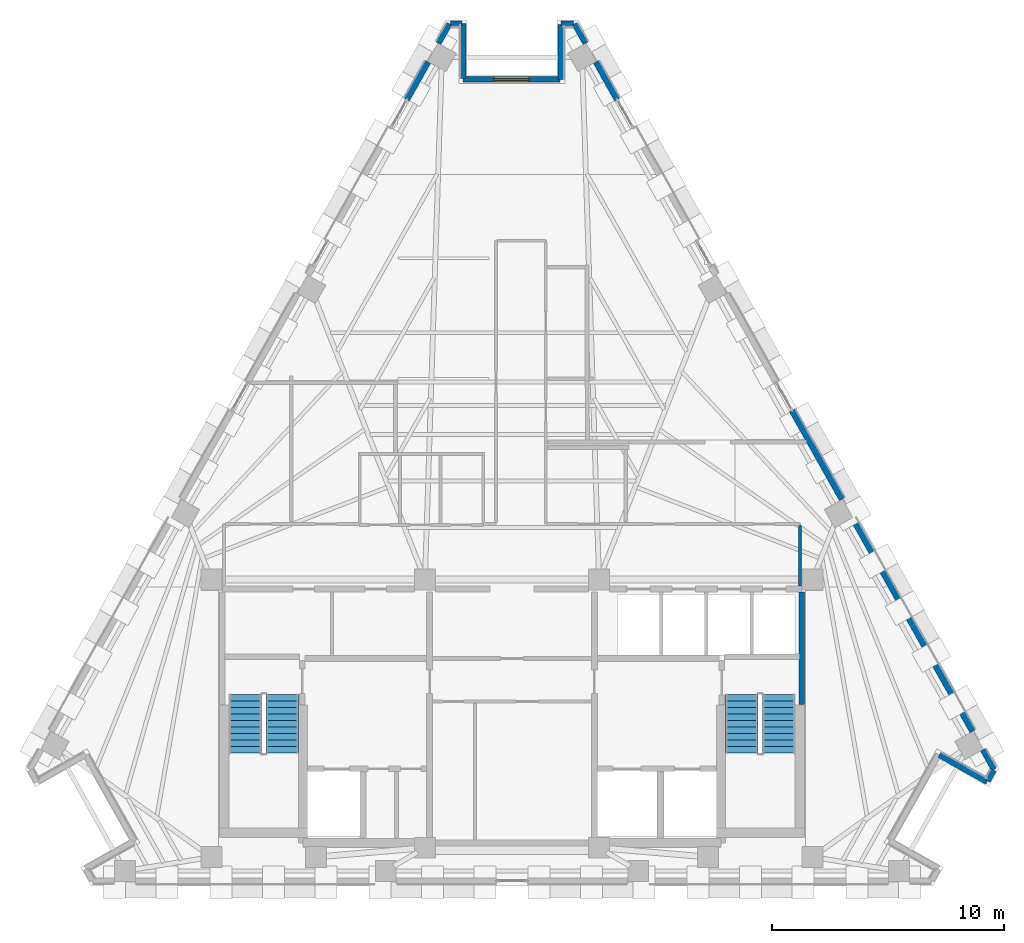
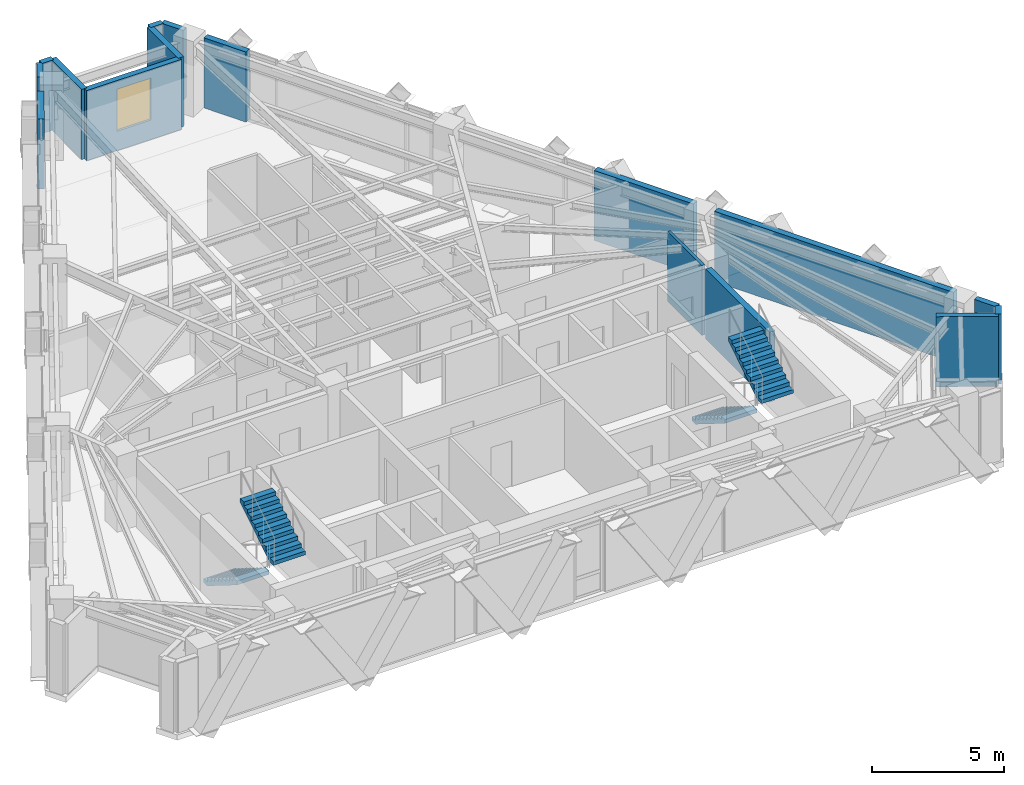
# One storey, part 9 of 12: 16 walls, 4 stair flights, 1 window, 1 opening, 2 elements without a shape of their own.
"""IFC4 building model written with IfcOpenShell, lengths in metres."""

from ifc_helpers import new_model, si_unit, direction, frame, frame_2d, origin, place, context, subcontext, project, spatial, polyline, rectangle, outline, extrude, material, layer, layer_set, type_object, element, fill, aggregate, save


model = new_model("IFC4")

# Units and contexts
model_context = context("Model", 3, precision=1e-05, world=origin(), true_north=direction((0.0, 1.0)))
body_context = subcontext(model_context, "Body", "Model", "MODEL_VIEW")
ifc_project = project(units=[si_unit("LENGTHUNIT", "METRE"), si_unit("AREAUNIT", "SQUARE_METRE"), si_unit("VOLUMEUNIT", "CUBIC_METRE"), si_unit("PLANEANGLEUNIT", "RADIAN"), si_unit("MASSUNIT", "GRAM", prefix="KILO")], contexts=[model_context])

# Site, building, storey
site_placement = place(None, origin())
site = spatial("IfcSite", under=ifc_project, at=site_placement, CompositionType="ELEMENT")
building_placement = place(site_placement, origin())
building = spatial("IfcBuilding", under=site, at=building_placement, Name="Quenlor Broadcast Tower", CompositionType="ELEMENT")
storey_placement = place(building_placement, frame((0.0, 0.0, 221.89990234375)))
storey = spatial("IfcBuildingStorey", under=building, at=storey_placement, Name="L61", CompositionType="ELEMENT", Elevation=221.89990234375)

# Walls
ifc_material_1 = material(Name="Concrete C40/50", Category="concrete")
ifc_layer_1 = layer(ifc_material_1, 0.25)
ifc_layer_set_1 = layer_set([ifc_layer_1], Name="Fire Rated Concrete C40/50 Core Wall 250")
wall_type_1 = type_object("IfcWallType", Name="Fire Rated Concrete C40/50 Core Wall 250", PredefinedType="PARTITIONING", material=ifc_layer_set_1)
wall_1_placement = place(storey_placement, frame((12.47998046875, -10.179931640625, 0.0), z_axis=(0.0, 0.0, 1.0), x_axis=(0.0, 1.0, 0.0)))
element("IfcWall", 1, at=wall_1_placement, inside=storey, type_object=wall_type_1, Name="L61 Interior Wall CW-ST2-E2", PredefinedType="PARTITIONING", context=body_context, shape_type="SweptSolid", body=[
    extrude(rectangle(XDim=4.83984375, YDim=0.25, at=frame_2d((2.419921875, 0.0))), origin(), (0.0, 0.0, 1.0), 3.25),
])
ifc_material_2 = material(Name="Gypsum Plasterboard Partition", Category="other")
ifc_layer_2 = layer(ifc_material_2, 0.1201171875)
ifc_layer_set_2 = layer_set([ifc_layer_2], Name="Standard Office Partition 120")
wall_type_2 = type_object("IfcWallType", Name="Standard Office Partition 120", PredefinedType="PARTITIONING", material=ifc_layer_set_2)
wall_2_placement = place(storey_placement, frame((12.409912109375, -2.4619140625, 0.0), z_axis=(0.0, 0.0, 1.0), x_axis=(0.0, -1.0, 0.0)))
element("IfcWall", 2, at=wall_2_placement, inside=storey, type_object=wall_type_2, Name="L61 Interior Wall PW-CR-07", PredefinedType="PARTITIONING", context=body_context, shape_type="SweptSolid", body=[
    extrude(rectangle(XDim=2.611083984375, YDim=0.1201171875, at=frame_2d((1.3056640625, 0.0))), origin(), (0.0, 0.0, 1.0), 3.25),
])
ifc_material_3 = material(Name="Precast concrete C40/50", Category="concrete")
ifc_layer_3 = layer(ifc_material_3, 0.239990234375)
ifc_layer_set_3 = layer_set([ifc_layer_3], Name="Terrace Threshold Precast Concrete C40/50 Wall 240")
wall_type_3 = type_object("IfcWallType", Name="Terrace Threshold Precast Concrete C40/50 Wall 240", PredefinedType="STANDARD", material=ifc_layer_set_3)
for number, where, z_axis, x_axis, name in (
    (3, (2.6953125, 19.1494140625, 0.0), (0.0, 0.0, 1.0), (0.490345412687, -0.87152818443, 0.0), "L61 Exterior Wall L61-SHD-NES0"),
    (4, (20.289794921875, -12.1298828125, 0.0), (0.0, 0.0, 1.0), (0.490345412687, -0.87152818443, 0.0), "L61 Exterior Wall L61-SHD-NES1"),
    (5, (-3.16796875, 18.309326171875, 0.0), (0.0, 0.0, 1.0), (0.490345412687, 0.87152818443, 0.0), "L61 Exterior Wall L61-SHD-NWS1"),
):
    element("IfcWall", number, at=place(storey_placement, frame(where, z_axis=z_axis, x_axis=x_axis)), inside=storey, type_object=wall_type_3, Name=name, PredefinedType="STANDARD", context=body_context, shape_type="SweptSolid", body=[
        extrude(rectangle(XDim=0.9638671875, YDim=0.239990234375, at=frame_2d((0.48193359375, 0.0))), origin(), (0.0, 0.0, 1.0), 3.25),
    ])
wall_3_placement = place(storey_placement, frame((18.412109375, -12.351318359375, 0.0), z_axis=(0.0, 0.0, 1.0), x_axis=(0.871578299909, -0.490256327984, 0.0)))
element("IfcWall", 6, at=wall_3_placement, inside=storey, type_object=wall_type_3, Name="L61 Exterior Wall L61-CNR-03", PredefinedType="STANDARD", context=body_context, shape_type="SweptSolid", body=[
    extrude(rectangle(XDim=2.35986328125, YDim=0.239990234375, at=frame_2d((1.179931640625, 0.0))), origin(), (0.0, 0.0, 1.0), 3.25),
])
wall_4_placement = place(storey_placement, frame((20.48876953125, -13.473388671875, 0.0), z_axis=(0.0, 0.0, 1.0), x_axis=(0.490133374867, 0.87164744871, 0.0)))
element("IfcWall", 7, at=wall_4_placement, inside=storey, type_object=wall_type_3, Name="L61 Exterior Wall L61-CNR-04", PredefinedType="STANDARD", context=body_context, shape_type="SweptSolid", body=[
    extrude(rectangle(XDim=0.5439453125, YDim=0.239990234375, at=frame_2d((0.27197265625, 0.0))), origin(), (0.0, 0.0, 1.0), 3.25),
])
wall_5_placement = place(storey_placement, frame((2.658447265625, 19.152099609375, 0.0), z_axis=(0.0, 0.0, 1.0), x_axis=(-1.0, 0.0, 0.0)))
element("IfcWall", 8, at=wall_5_placement, inside=storey, type_object=wall_type_3, Name="L61 Exterior Wall L61-CNR-06", PredefinedType="STANDARD", context=body_context, shape_type="SweptSolid", body=[
    extrude(rectangle(XDim=0.55224609375, YDim=0.239990234375, at=frame_2d((0.276123046875, 0.0))), origin(), (0.0, 0.0, 1.0), 3.25),
])
wall_6_placement = place(storey_placement, frame((2.106201171875, 19.112060546875, 0.0), z_axis=(0.0, 0.0, 1.0), x_axis=(0.0, -1.0, 0.0)))
element("IfcWall", 9, at=wall_6_placement, inside=storey, type_object=wall_type_3, Name="L61 Exterior Wall L61-CNR-07", PredefinedType="STANDARD", context=body_context, shape_type="SweptSolid", body=[
    extrude(rectangle(XDim=2.360107421875, YDim=0.239990234375, at=frame_2d((1.18017578125, 0.0))), origin(), (0.0, 0.0, 1.0), 3.25),
])

# Wall, opening, window
wall_7_placement = place(storey_placement, frame((2.066162109375, 16.751953125, 0.0), z_axis=(0.0, 0.0, 1.0), x_axis=(-1.0, 0.0, 0.0)))
wall_7 = element("IfcWall", 10, at=wall_7_placement, inside=storey, type_object=wall_type_3, Name="L61 Exterior Wall L61-CNR-08", PredefinedType="STANDARD", context=body_context, shape_type="SweptSolid", body=[
    extrude(rectangle(XDim=4.17236328125, YDim=0.239990234375, at=frame_2d((2.086181640625, 0.0))), origin(), (0.0, 0.0, 1.0), 3.25),
])
opening_placement = place(wall_7_placement, frame((1.3359375, 0.0, 0.89990234375)))
opening = element("IfcOpeningElement", 11, at=opening_placement, cuts=wall_7, Name="Opening WN-3", PredefinedType="OPENING", context=body_context, shape_type="SweptSolid", body=[
    extrude(rectangle(XDim=1.5, YDim=1.949951171875, at=frame_2d((0.75, 0.97509765625))), frame((0.0, 0.1298828125, 0.0), z_axis=(0.0, -1.0, 0.0), x_axis=(1.0, 0.0, 0.0)), (0.0, 0.0, 1.0), 0.260009765625),
])
ifc_material_4 = material(Name="Thermally Broken Aluminium and Low-E Glass", Category="aluminium")
window_type = type_object("IfcWindowType", Name="Upper Tower Facade Window 1500x1950", PartitioningType="SINGLE_PANEL", PredefinedType="WINDOW", material=ifc_material_4)
window_placement = place(opening_placement, origin())
window = element("IfcWindow", 12, at=window_placement, inside=storey, type_object=window_type, Name="L61 Corner Chamfer Window 8", OverallHeight=1.949951171875, OverallWidth=1.5, PartitioningType="SINGLE_PANEL", PredefinedType="WINDOW", context=body_context, shape_type="SweptSolid", body=[
    extrude(rectangle(XDim=1.5, YDim=1.949951171875, at=frame_2d((0.75, 0.97509765625))), frame((0.0, 0.030029296875, 0.0), z_axis=(0.0, -1.0, 0.0), x_axis=(1.0, 0.0, 0.0)), (0.0, 0.0, 1.0), 0.06005859375),
])
fill(opening, window)

# Walls
wall_8_placement = place(storey_placement, frame((-2.106201171875, 16.7919921875, 0.0), z_axis=(0.0, 0.0, 1.0), x_axis=(0.0, 1.0, 0.0)))
element("IfcWall", 13, at=wall_8_placement, inside=storey, type_object=wall_type_3, Name="L61 Exterior Wall L61-CNR-09", PredefinedType="STANDARD", context=body_context, shape_type="SweptSolid", body=[
    extrude(rectangle(XDim=2.360107421875, YDim=0.239990234375, at=frame_2d((1.18017578125, 0.0))), origin(), (0.0, 0.0, 1.0), 3.25),
])
wall_9_placement = place(storey_placement, frame((-2.146240234375, 19.152099609375, 0.0), z_axis=(0.0, 0.0, 1.0), x_axis=(-1.0, 0.0, 0.0)))
element("IfcWall", 14, at=wall_9_placement, inside=storey, type_object=wall_type_3, Name="L61 Exterior Wall L61-CNR-10", PredefinedType="STANDARD", context=body_context, shape_type="SweptSolid", body=[
    extrude(rectangle(XDim=0.51220703125, YDim=0.239990234375, at=frame_2d((0.256103515625, 0.0))), origin(), (0.0, 0.0, 1.0), 3.25),
])
ifc_material_5 = material(Name="Precast concrete C40/50", Category="concrete")
ifc_layer_4 = layer(ifc_material_5, 0.260009765625)
ifc_layer_set_4 = layer_set([ifc_layer_4], Name="Terracotta Precast Concrete C40/50 Upper Wall 260")
wall_type_4 = type_object("IfcWallType", Name="Terracotta Precast Concrete C40/50 Upper Wall 260", PredefinedType="STANDARD", material=ifc_layer_set_4)
wall_10_placement = place(storey_placement, frame((3.623779296875, 17.498779296875, 0.0), z_axis=(0.0, 0.0, 1.0), x_axis=(0.490261239633, -0.871575537125, 0.0)))
element("IfcWall", 15, at=wall_10_placement, inside=storey, type_object=wall_type_4, Name="L61 Exterior Wall L61-NEA-SP1", PredefinedType="STANDARD", context=body_context, shape_type="SweptSolid", body=[
    extrude(rectangle(XDim=1.85546875, YDim=0.260009765625, at=frame_2d((0.927734375, 0.0))), origin(), (0.0, 0.0, 1.0), 3.25),
])
wall_11_placement = place(storey_placement, frame((14.6708984375, -2.140380859375, 0.0), z_axis=(0.0, 0.0, 1.0), x_axis=(0.490246958575, -0.871583570066, 0.0)))
element("IfcWall", 16, at=wall_11_placement, inside=storey, type_object=wall_type_4, Name="L61 Exterior Wall L61-EW-NEC", PredefinedType="STANDARD", context=body_context, shape_type="SweptSolid", body=[
    extrude(rectangle(XDim=10.551513671875, YDim=0.260009765625, at=frame_2d((5.27587890625, 0.0))), origin(), (0.0, 0.0, 1.0), 3.25),
])
wall_12_placement = place(storey_placement, frame((12.066162109375, 2.489990234375, 0.0), z_axis=(0.0, 0.0, 1.0), x_axis=(0.490261239633, -0.871575537125, 0.0)))
element("IfcWall", 17, at=wall_12_placement, inside=storey, type_object=wall_type_4, Name="L61 Exterior Wall L61-NE-SP2", PredefinedType="STANDARD", context=body_context, shape_type="SweptSolid", body=[
    extrude(rectangle(XDim=4.3876953125, YDim=0.260009765625, at=frame_2d((2.19384765625, 0.0))), origin(), (0.0, 0.0, 1.0), 3.25),
])
wall_13_placement = place(storey_placement, frame((-4.533447265625, 15.881591796875, 0.0), z_axis=(0.0, 0.0, 1.0), x_axis=(0.490261239633, 0.871575537125, 0.0)))
element("IfcWall", 18, at=wall_13_placement, inside=storey, type_object=wall_type_4, Name="L61 Exterior Wall L61-NWC-SP3", PredefinedType="STANDARD", context=body_context, shape_type="SweptSolid", body=[
    extrude(rectangle(XDim=1.85546875, YDim=0.260009765625, at=frame_2d((0.927734375, 0.0))), origin(), (0.0, 0.0, 1.0), 3.25),
])

# Stair, stair flights
ifc_material_6 = material(Name="Precast concrete C40/50", Category="concrete")
stair_type = type_object("IfcStairType", Name="Precast Concrete C40/50 Dogleg Stair H350", PredefinedType="HALF_TURN_STAIR", material=ifc_material_6)
stair_1_placement = place(storey_placement, origin())
stair_1 = element("IfcStair", 19, at=stair_1_placement, inside=storey, type_object=stair_type, Name="L61 West Core Fire-Isolated Exit Stair ST-1", PredefinedType="HALF_TURN_STAIR")
ifc_material_7 = material(Name="Precast concrete C40/50", Category="concrete")
ifc_layer_5 = layer(ifc_material_7, 0.159912109375)
ifc_layer_set_5 = layer_set([ifc_layer_5], Name="Precast Concrete C40/50 Stair Flight H350")
stair_flight_type = type_object("IfcStairFlightType", Name="Precast Concrete C40/50 Stair Flight H350", PredefinedType="STRAIGHT", material=ifc_layer_set_5)
stair_flight_1_placement = place(storey_placement, frame((-11.5, -9.75, 0.0), z_axis=(0.0, 0.0, 1.0), x_axis=(0.0, -1.0, 0.0)))
stair_flight_1 = element("IfcStairFlight", 20, at=stair_flight_1_placement, type_object=stair_flight_type, Name="ST-1 flight 1", NumberOfRisers=10, NumberOfTreads=9, PredefinedType="STRAIGHT", RiserHeight=0.175, TreadLength=0.28, context=body_context, shape_type="SweptSolid", body=[
    extrude(outline(polyline([(0.0, 0.0), (0.0, 0.175048828125), (0.280029296875, 0.175048828125), (0.280029296875, 0.35009765625), (0.56005859375, 0.35009765625), (0.56005859375, 0.52490234375), (0.840087890625, 0.52490234375), (0.840087890625, 0.699951171875), (1.1201171875, 0.699951171875), (1.1201171875, 0.875), (1.39990234375, 0.875), (1.39990234375, 1.050048828125), (1.679931640625, 1.050048828125), (1.679931640625, 1.22509765625), (1.9599609375, 1.22509765625), (1.9599609375, 1.39990234375), (2.239990234375, 1.39990234375), (2.239990234375, 1.574951171875), (2.52001953125, 1.574951171875), (2.52001953125, 1.75), (2.52001953125, 1.398193359375), (0.28271484375, 0.0), (0.0, 0.0)])), frame((0.0, 0.699951171875, 0.0), z_axis=(0.0, -1.0, 0.0), x_axis=(1.0, 0.0, 0.0)), (0.0, 0.0, 1.0), 1.39990234375),
])
stair_flight_2_placement = place(storey_placement, frame((-9.89990234375, -12.27001953125, 1.75), z_axis=(0.0, 0.0, 1.0), x_axis=(0.0, 1.0, 0.0)))
stair_flight_2 = element("IfcStairFlight", 21, at=stair_flight_2_placement, type_object=stair_flight_type, Name="ST-1 flight 2", NumberOfRisers=10, NumberOfTreads=9, PredefinedType="STRAIGHT", RiserHeight=0.175, TreadLength=0.28, context=body_context, shape_type="SweptSolid", body=[
    extrude(outline(polyline([(0.0, 0.0), (0.0, 0.175048828125), (0.280029296875, 0.175048828125), (0.280029296875, 0.35009765625), (0.56005859375, 0.35009765625), (0.56005859375, 0.52490234375), (0.840087890625, 0.52490234375), (0.840087890625, 0.699951171875), (1.1201171875, 0.699951171875), (1.1201171875, 0.875), (1.39990234375, 0.875), (1.39990234375, 1.050048828125), (1.679931640625, 1.050048828125), (1.679931640625, 1.22509765625), (1.9599609375, 1.22509765625), (1.9599609375, 1.39990234375), (2.239990234375, 1.39990234375), (2.239990234375, 1.574951171875), (2.52001953125, 1.574951171875), (2.52001953125, 1.75), (2.52001953125, 1.398193359375), (0.28271484375, 0.0), (0.0, 0.0)])), frame((0.0, 0.699951171875, 0.0), z_axis=(0.0, -1.0, 0.0), x_axis=(1.0, 0.0, 0.0)), (0.0, 0.0, 1.0), 1.39990234375),
])
aggregate(stair_1, [stair_flight_1, stair_flight_2])

stair_2_placement = place(storey_placement, origin())
stair_2 = element("IfcStair", 22, at=stair_2_placement, inside=storey, type_object=stair_type, Name="L61 East Core Fire-Isolated Exit Stair ST-2", PredefinedType="HALF_TURN_STAIR")
stair_flight_3_placement = place(storey_placement, frame((9.89990234375, -9.75, 0.0), z_axis=(0.0, 0.0, 1.0), x_axis=(0.0, -1.0, 0.0)))
stair_flight_3 = element("IfcStairFlight", 23, at=stair_flight_3_placement, type_object=stair_flight_type, Name="ST-2 flight 1", NumberOfRisers=10, NumberOfTreads=9, PredefinedType="STRAIGHT", RiserHeight=0.175, TreadLength=0.28, context=body_context, shape_type="SweptSolid", body=[
    extrude(outline(polyline([(0.0, 0.0), (0.0, 0.175048828125), (0.280029296875, 0.175048828125), (0.280029296875, 0.35009765625), (0.56005859375, 0.35009765625), (0.56005859375, 0.52490234375), (0.840087890625, 0.52490234375), (0.840087890625, 0.699951171875), (1.1201171875, 0.699951171875), (1.1201171875, 0.875), (1.39990234375, 0.875), (1.39990234375, 1.050048828125), (1.679931640625, 1.050048828125), (1.679931640625, 1.22509765625), (1.9599609375, 1.22509765625), (1.9599609375, 1.39990234375), (2.239990234375, 1.39990234375), (2.239990234375, 1.574951171875), (2.52001953125, 1.574951171875), (2.52001953125, 1.75), (2.52001953125, 1.398193359375), (0.28271484375, 0.0), (0.0, 0.0)])), frame((0.0, 0.699951171875, 0.0), z_axis=(0.0, -1.0, 0.0), x_axis=(1.0, 0.0, 0.0)), (0.0, 0.0, 1.0), 1.39990234375),
])
stair_flight_4_placement = place(storey_placement, frame((11.5, -12.27001953125, 1.75), z_axis=(0.0, 0.0, 1.0), x_axis=(0.0, 1.0, 0.0)))
stair_flight_4 = element("IfcStairFlight", 24, at=stair_flight_4_placement, type_object=stair_flight_type, Name="ST-2 flight 2", NumberOfRisers=10, NumberOfTreads=9, PredefinedType="STRAIGHT", RiserHeight=0.175, TreadLength=0.28, context=body_context, shape_type="SweptSolid", body=[
    extrude(outline(polyline([(0.0, 0.0), (0.0, 0.175048828125), (0.280029296875, 0.175048828125), (0.280029296875, 0.35009765625), (0.56005859375, 0.35009765625), (0.56005859375, 0.52490234375), (0.840087890625, 0.52490234375), (0.840087890625, 0.699951171875), (1.1201171875, 0.699951171875), (1.1201171875, 0.875), (1.39990234375, 0.875), (1.39990234375, 1.050048828125), (1.679931640625, 1.050048828125), (1.679931640625, 1.22509765625), (1.9599609375, 1.22509765625), (1.9599609375, 1.39990234375), (2.239990234375, 1.39990234375), (2.239990234375, 1.574951171875), (2.52001953125, 1.574951171875), (2.52001953125, 1.75), (2.52001953125, 1.398193359375), (0.28271484375, 0.0), (0.0, 0.0)])), frame((0.0, 0.699951171875, 0.0), z_axis=(0.0, -1.0, 0.0), x_axis=(1.0, 0.0, 0.0)), (0.0, 0.0, 1.0), 1.39990234375),
])
aggregate(stair_2, [stair_flight_3, stair_flight_4])

save(model, "model.ifc")
